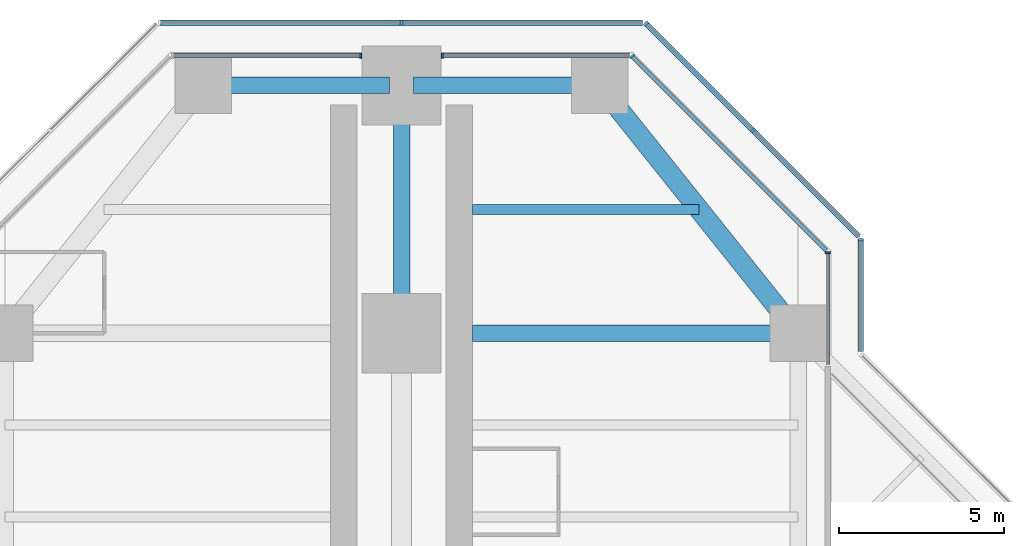
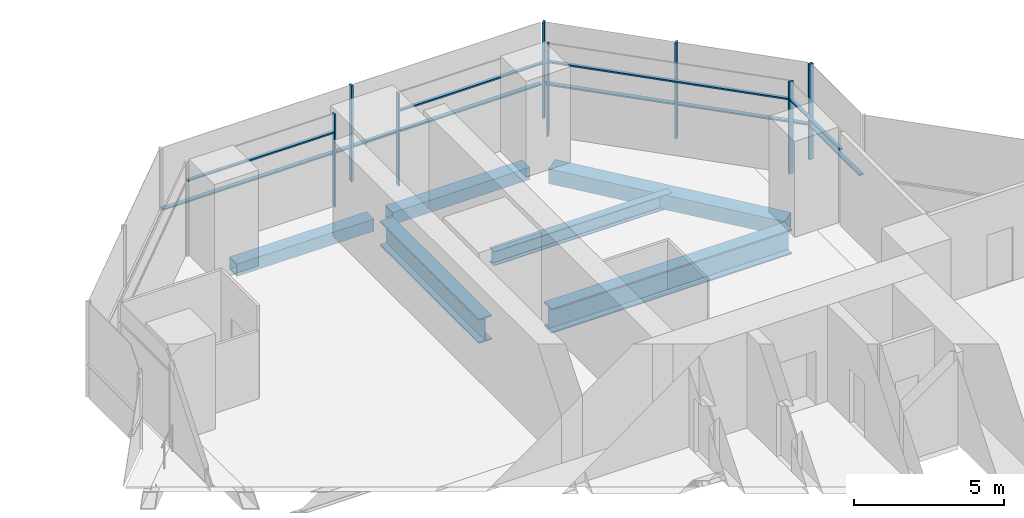
# One storey, part 10 of 20: 17 members, 6 beams, 7 elements without a shape of their own.
"""IFC4 building model written with IfcOpenShell, lengths in metres."""

from ifc_helpers import new_model, si_unit, direction, frame, origin, origin_2d, place, context, subcontext, project, spatial, rectangle, hollow_rectangle, i_section, extrude, material, material_profile, profile_set, type_object, element, aggregate, save


model = new_model("IFC4")

# Units and contexts
model_context = context("Model", 3, precision=1e-05, world=origin(), true_north=direction((0.0, 1.0)))
body_context = subcontext(model_context, "Body", "Model", "MODEL_VIEW")
ifc_project = project(units=[si_unit("LENGTHUNIT", "METRE"), si_unit("AREAUNIT", "SQUARE_METRE"), si_unit("VOLUMEUNIT", "CUBIC_METRE"), si_unit("PLANEANGLEUNIT", "RADIAN"), si_unit("MASSUNIT", "GRAM", prefix="KILO")], contexts=[model_context])

# Site, building, storey
site_placement = place(None, origin())
site = spatial("IfcSite", under=ifc_project, at=site_placement, CompositionType="ELEMENT")
building_placement = place(site_placement, origin())
building = spatial("IfcBuilding", under=site, at=building_placement, Name="Mizan Broadcast Tower", CompositionType="ELEMENT")
storey_placement = place(building_placement, frame((0.0, 0.0, 155.39990234375)))
storey = spatial("IfcBuildingStorey", under=building, at=storey_placement, Name="L35", CompositionType="ELEMENT", Elevation=155.39990234375)

# Beams
ifc_material_1 = material(Name="Steel S355", Category="steel")
ifc_material_profile_1 = material_profile(ifc_material_1, hollow_rectangle(XDim=0.5, YDim=0.5, WallThickness=0.030029296875, at=origin_2d()), Name="BOX 500x500x30")
ifc_profile_set_1 = profile_set([ifc_material_profile_1], Name="Steel S355")
beam_type_1 = type_object("IfcBeamType", Name="EDGE BEAM BOX 500x500x30", PredefinedType="SPANDREL", material=ifc_profile_set_1)
for number, where, z_axis, x_axis, name in (
    (1, (5.639892578125, 27.0, -0.3798828125), (-1.0, 0.0, 0.0), (0.0, -1.0, 0.0), "Edge beam BOX 500x500x30 L35 north arm"),
    (2, (-5.639892578125, 27.0, -0.3798828125), (1.0, 0.0, 0.0), (0.0, 1.0, 0.0), "Edge beam BOX 500x500x30 L35 north arm"),
):
    element("IfcBeam", number, at=place(storey_placement, frame(where, z_axis=z_axis, x_axis=x_axis)), inside=storey, type_object=beam_type_1, Name=name, PredefinedType="SPANDREL", context=body_context, shape_type="SweptSolid", body=[
        extrude(hollow_rectangle(XDim=0.5, YDim=0.5, WallThickness=0.030029296875, at=origin_2d()), origin(), (0.0, 0.0, 1.0), 5.27978515625),
    ])
ifc_material_2 = material(Name="Steel S355", Category="steel")
ifc_material_profile_2 = material_profile(ifc_material_2, hollow_rectangle(XDim=0.60009765625, YDim=0.60009765625, WallThickness=0.030029296875, at=origin_2d()), Name="BOX 600x600x30")
ifc_profile_set_2 = profile_set([ifc_material_profile_2], Name="Steel S355")
beam_type_2 = type_object("IfcBeamType", Name="EDGE BEAM BOX 600x600x30", PredefinedType="SPANDREL", material=ifc_profile_set_2)
beam_1_placement = place(storey_placement, frame((11.639892578125, 19.949951171875, -0.429931640625), z_axis=(-0.624673911726, 0.780885717636, 0.0), x_axis=(-0.780885717636, -0.624673911726, 0.0)))
element("IfcBeam", 3, at=beam_1_placement, inside=storey, type_object=beam_type_2, Name="Edge beam BOX 600x600x30 L35 north arm", PredefinedType="SPANDREL", context=body_context, shape_type="SweptSolid", body=[
    extrude(hollow_rectangle(XDim=0.60009765625, YDim=0.60009765625, WallThickness=0.030029296875, at=origin_2d()), origin(), (0.0, 0.0, 1.0), 8.4521484375),
])
ifc_material_3 = material(Name="Steel S460", Category="steel")
ifc_material_profile_3 = material_profile(ifc_material_3, i_section(OverallWidth=0.5, OverallDepth=1.0, WebThickness=0.02490234375, FlangeThickness=0.050048828125, at=origin_2d()), Name="WPG 1000x500")
ifc_profile_set_3 = profile_set([ifc_material_profile_3], Name="Steel S460")
beam_type_3 = type_object("IfcBeamType", Name="GIRDER WPG 1000x500", PredefinedType="BEAM", material=ifc_profile_set_3)
beam_2_placement = place(storey_placement, frame((0.0, 19.949951171875, -0.6298828125), z_axis=(0.0, 1.0, 0.0), x_axis=(-1.0, 0.0, 0.0)))
element("IfcBeam", 4, at=beam_2_placement, inside=storey, type_object=beam_type_3, Name="Girder WPG 1000x500 L35 north arm", PredefinedType="BEAM", context=body_context, shape_type="SweptSolid", body=[
    extrude(i_section(OverallWidth=0.5, OverallDepth=1.0, WebThickness=0.02490234375, FlangeThickness=0.050048828125, at=origin_2d()), origin(), (0.0, 0.0, 1.0), 6.60009765625),
])
beam_3_placement = place(storey_placement, frame((11.408935546875, 19.5, -0.6298828125), z_axis=(-1.0, 0.0, 0.0), x_axis=(0.0, -1.0, 0.0)))
element("IfcBeam", 5, at=beam_3_placement, inside=storey, type_object=beam_type_3, Name="Girder WPG 1000x500 L35 north arm", PredefinedType="BEAM", context=body_context, shape_type="SweptSolid", body=[
    extrude(i_section(OverallWidth=0.5, OverallDepth=1.0, WebThickness=0.02490234375, FlangeThickness=0.050048828125, at=origin_2d()), origin(), (0.0, 0.0, 1.0), 9.259033203125),
])

# Curtain wall, member
ifc_material_4 = material(Name="Aluminium framed glazing", Category="aluminium")
curtain_wall_type_1 = type_object("IfcCurtainWallType", Name="INNER SKIN MID ZONE", PredefinedType="USERDEFINED", material=ifc_material_4)
curtain_wall_1_placement = place(storey_placement, origin())
curtain_wall_1 = element("IfcCurtainWall", 6, at=curtain_wall_1_placement, inside=storey, type_object=curtain_wall_type_1, Name="Inner skin mid zone L35 N side", ObjectType="INNER SKIN MID ZONE", PredefinedType="USERDEFINED")
ifc_material_5 = material(Name="Aluminium, pale anodised", Category="aluminium")
ifc_material_profile_4 = material_profile(ifc_material_5, rectangle(XDim=0.159912109375, YDim=0.06005859375, at=origin_2d()), Name="MULLION 160x60")
ifc_profile_set_4 = profile_set([ifc_material_profile_4], Name="Aluminium, pale anodised")
member_type_1 = type_object("IfcMemberType", Name="INNER SKIN MULLION 60x160", PredefinedType="MULLION", material=ifc_profile_set_4)
member_1_placement = place(storey_placement, frame((12.89990234375, 21.928466796875, 0.0), z_axis=(0.0, 0.0, 1.0), x_axis=(-1.0, 0.0, 0.0)))
member_1 = element("IfcMember", 7, at=member_1_placement, type_object=member_type_1, Name="Inner skin mid zone L35 N side mullion 2", PredefinedType="MULLION", context=body_context, shape_type="SweptSolid", body=[
    extrude(rectangle(XDim=0.159912109375, YDim=0.06005859375, at=origin_2d()), origin(), (0.0, 0.0, 1.0), 3.77001953125),
])

curtain_wall_2_placement = place(storey_placement, origin())
curtain_wall_2 = element("IfcCurtainWall", 8, at=curtain_wall_2_placement, inside=storey, type_object=curtain_wall_type_1, Name="Inner skin mid zone L35 N chamfer", ObjectType="INNER SKIN MID ZONE", PredefinedType="USERDEFINED")
member_2_placement = place(storey_placement, frame((6.979736328125, 27.87890625, 0.0), z_axis=(0.0, 0.0, 1.0), x_axis=(-0.707106781187, -0.707106781187, 0.0)))
member_2 = element("IfcMember", 9, at=member_2_placement, type_object=member_type_1, Name="Inner skin mid zone L35 N chamfer mullion 2", PredefinedType="MULLION", context=body_context, shape_type="SweptSolid", body=[
    extrude(rectangle(XDim=0.159912109375, YDim=0.06005859375, at=origin_2d()), origin(), (0.0, 0.0, 1.0), 3.77001953125),
])

curtain_wall_3_placement = place(storey_placement, origin())
curtain_wall_3 = element("IfcCurtainWall", 10, at=curtain_wall_3_placement, inside=storey, type_object=curtain_wall_type_1, Name="Inner skin mid zone L35 N end", ObjectType="INNER SKIN MID ZONE", PredefinedType="USERDEFINED")
member_3_placement = place(storey_placement, frame((1.22998046875, 27.89990234375, 0.0), z_axis=(0.0, 0.0, 1.0), x_axis=(0.0, -1.0, 0.0)))
member_3 = element("IfcMember", 11, at=member_3_placement, type_object=member_type_1, Name="Inner skin mid zone L35 N end mullion 2", PredefinedType="MULLION", context=body_context, shape_type="SweptSolid", body=[
    extrude(rectangle(XDim=0.159912109375, YDim=0.06005859375, at=origin_2d()), origin(), (0.0, 0.0, 1.0), 3.77001953125),
])

curtain_wall_4_placement = place(storey_placement, origin())
curtain_wall_4 = element("IfcCurtainWall", 12, at=curtain_wall_4_placement, inside=storey, type_object=curtain_wall_type_1, Name="Inner skin mid zone L35 N end", ObjectType="INNER SKIN MID ZONE", PredefinedType="USERDEFINED")
member_4_placement = place(storey_placement, frame((-1.22998046875, 27.89990234375, 0.0), z_axis=(0.0, 0.0, 1.0), x_axis=(0.0, -1.0, 0.0)))
member_4 = element("IfcMember", 13, at=member_4_placement, type_object=member_type_1, Name="Inner skin mid zone L35 N end mullion 1", PredefinedType="MULLION", context=body_context, shape_type="SweptSolid", body=[
    extrude(rectangle(XDim=0.159912109375, YDim=0.06005859375, at=origin_2d()), origin(), (0.0, 0.0, 1.0), 3.77001953125),
])

# Member
ifc_material_6 = material(Name="Aluminium, pale anodised", Category="aluminium")
ifc_material_profile_5 = material_profile(ifc_material_6, rectangle(XDim=0.1201171875, YDim=0.06005859375, at=origin_2d()), Name="TRANSOM 120x60")
ifc_profile_set_5 = profile_set([ifc_material_profile_5], Name="Aluminium, pale anodised")
member_type_2 = type_object("IfcMemberType", Name="INNER SKIN TRANSOM 60x120", PredefinedType="USERDEFINED", material=ifc_profile_set_5)
member_5_placement = place(storey_placement, frame((12.89990234375, 18.56005859375, 3.030029296875), z_axis=(0.0, 1.0, 0.0), x_axis=(-1.0, 0.0, 0.0)))
member_5 = element("IfcMember", 14, at=member_5_placement, type_object=member_type_2, Name="Inner skin mid zone L35 N side transom 1.1", ObjectType="TRANSOM", PredefinedType="USERDEFINED", context=body_context, shape_type="SweptSolid", body=[
    extrude(rectangle(XDim=0.1201171875, YDim=0.06005859375, at=origin_2d()), origin(), (0.0, 0.0, 1.0), 3.338623046875),
])

aggregate(curtain_wall_1, [member_1, member_5])

member_6_placement = place(storey_placement, frame((12.857666015625, 22.0009765625, 3.030029296875), z_axis=(-0.707106781187, 0.707106781187, 0.0), x_axis=(-0.707106781187, -0.707106781187, 0.0)))
member_6 = element("IfcMember", 15, at=member_6_placement, type_object=member_type_2, Name="Inner skin mid zone L35 N chamfer transom 1.1", ObjectType="TRANSOM", PredefinedType="USERDEFINED", context=body_context, shape_type="SweptSolid", body=[
    extrude(rectangle(XDim=0.1201171875, YDim=0.06005859375, at=origin_2d()), origin(), (0.0, 0.0, 1.0), 8.28271484375),
])

aggregate(curtain_wall_2, [member_2, member_6])

member_7_placement = place(storey_placement, frame((6.898681640625, 27.89990234375, 3.030029296875), z_axis=(-1.0, 0.0, 0.0), x_axis=(0.0, -1.0, 0.0)))
member_7 = element("IfcMember", 16, at=member_7_placement, type_object=member_type_2, Name="Inner skin mid zone L35 N end transom 1.1", ObjectType="TRANSOM", PredefinedType="USERDEFINED", context=body_context, shape_type="SweptSolid", body=[
    extrude(rectangle(XDim=0.1201171875, YDim=0.06005859375, at=origin_2d()), origin(), (0.0, 0.0, 1.0), 5.638671875),
])

aggregate(curtain_wall_3, [member_3, member_7])

member_8_placement = place(storey_placement, frame((-1.260009765625, 27.89990234375, 3.030029296875), z_axis=(-1.0, 0.0, 0.0), x_axis=(0.0, -1.0, 0.0)))
member_8 = element("IfcMember", 17, at=member_8_placement, type_object=member_type_2, Name="Inner skin mid zone L35 N end transom 1.1", ObjectType="TRANSOM", PredefinedType="USERDEFINED", context=body_context, shape_type="SweptSolid", body=[
    extrude(rectangle(XDim=0.1201171875, YDim=0.06005859375, at=origin_2d()), origin(), (0.0, 0.0, 1.0), 5.638671875),
])

aggregate(curtain_wall_4, [member_4, member_8])

# Curtain wall, member
ifc_material_7 = material(Name="Aluminium framed glazing", Category="aluminium")
curtain_wall_type_2 = type_object("IfcCurtainWallType", Name="OUTER SKIN", PredefinedType="USERDEFINED", material=ifc_material_7)
curtain_wall_5_placement = place(storey_placement, origin())
curtain_wall_5 = element("IfcCurtainWall", 18, at=curtain_wall_5_placement, inside=storey, type_object=curtain_wall_type_2, Name="Outer skin L35 N side", ObjectType="OUTER SKIN", PredefinedType="USERDEFINED")
ifc_material_8 = material(Name="Aluminium, pale anodised", Category="aluminium")
ifc_material_profile_6 = material_profile(ifc_material_8, rectangle(XDim=0.159912109375, YDim=0.080078125, at=origin_2d()), Name="MULLION 160x80")
ifc_profile_set_6 = profile_set([ifc_material_profile_6], Name="Aluminium, pale anodised")
member_type_3 = type_object("IfcMemberType", Name="OUTER SKIN MULLION 80x160", PredefinedType="MULLION", material=ifc_profile_set_6)
member_9_placement = place(storey_placement, frame((13.89990234375, 22.332763671875, 0.0), z_axis=(0.0, 0.0, 1.0), x_axis=(-1.0, 0.0, 0.0)))
member_9 = element("IfcMember", 19, at=member_9_placement, type_object=member_type_3, Name="Outer skin L35 N side mullion 2", PredefinedType="MULLION", context=body_context, shape_type="SweptSolid", body=[
    extrude(rectangle(XDim=0.159912109375, YDim=0.080078125, at=origin_2d()), origin(), (0.0, 0.0, 1.0), 3.900146484375),
])

# Curtain wall, members
curtain_wall_6_placement = place(storey_placement, origin())
curtain_wall_6 = element("IfcCurtainWall", 20, at=curtain_wall_6_placement, inside=storey, type_object=curtain_wall_type_2, Name="Outer skin L35 N chamfer", ObjectType="OUTER SKIN", PredefinedType="USERDEFINED")
member_10_placement = place(storey_placement, frame((10.636474609375, 25.636474609375, 0.0), z_axis=(0.0, 0.0, 1.0), x_axis=(-0.707106781187, -0.707106781187, 0.0)))
member_10 = element("IfcMember", 21, at=member_10_placement, type_object=member_type_3, Name="Outer skin L35 N chamfer mullion 2", PredefinedType="MULLION", context=body_context, shape_type="SweptSolid", body=[
    extrude(rectangle(XDim=0.159912109375, YDim=0.080078125, at=origin_2d()), origin(), (0.0, 0.0, 1.0), 3.900146484375),
])
member_11_placement = place(storey_placement, frame((7.401123046875, 28.871826171875, 0.0), z_axis=(0.0, 0.0, 1.0), x_axis=(-0.707106781187, -0.707106781187, 0.0)))
member_11 = element("IfcMember", 22, at=member_11_placement, type_object=member_type_3, Name="Outer skin L35 N chamfer mullion 3", PredefinedType="MULLION", context=body_context, shape_type="SweptSolid", body=[
    extrude(rectangle(XDim=0.159912109375, YDim=0.080078125, at=origin_2d()), origin(), (0.0, 0.0, 1.0), 3.900146484375),
])

# Curtain wall, member
curtain_wall_7_placement = place(storey_placement, origin())
curtain_wall_7 = element("IfcCurtainWall", 23, at=curtain_wall_7_placement, inside=storey, type_object=curtain_wall_type_2, Name="Outer skin L35 N end", ObjectType="OUTER SKIN", PredefinedType="USERDEFINED")
member_12_placement = place(storey_placement, frame((0.0, 28.89990234375, 0.0), z_axis=(0.0, 0.0, 1.0), x_axis=(0.0, -1.0, 0.0)))
member_12 = element("IfcMember", 24, at=member_12_placement, type_object=member_type_3, Name="Outer skin L35 N end mullion 2", PredefinedType="MULLION", context=body_context, shape_type="SweptSolid", body=[
    extrude(rectangle(XDim=0.159912109375, YDim=0.080078125, at=origin_2d()), origin(), (0.0, 0.0, 1.0), 3.900146484375),
])

# Member
ifc_material_9 = material(Name="Aluminium, pale anodised", Category="aluminium")
ifc_material_profile_7 = material_profile(ifc_material_9, rectangle(XDim=0.159912109375, YDim=0.06005859375, at=origin_2d()), Name="TRANSOM 160x60")
ifc_profile_set_7 = profile_set([ifc_material_profile_7], Name="Aluminium, pale anodised")
member_type_4 = type_object("IfcMemberType", Name="OUTER SKIN TRANSOM 60x160", PredefinedType="USERDEFINED", material=ifc_profile_set_7)
member_13_placement = place(storey_placement, frame((13.89990234375, 18.952880859375, 1.400146484375), z_axis=(0.0, 1.0, 0.0), x_axis=(-1.0, 0.0, 0.0)))
member_13 = element("IfcMember", 25, at=member_13_placement, type_object=member_type_4, Name="Outer skin L35 N side transom 1.1", ObjectType="TRANSOM", PredefinedType="USERDEFINED", context=body_context, shape_type="SweptSolid", body=[
    extrude(rectangle(XDim=0.159912109375, YDim=0.06005859375, at=origin_2d()), origin(), (0.0, 0.0, 1.0), 3.33984375),
])

aggregate(curtain_wall_5, [member_9, member_13])

member_14_placement = place(storey_placement, frame((13.843505859375, 22.429443359375, 1.400146484375), z_axis=(-0.707106781187, 0.707106781187, 0.0), x_axis=(-0.707106781187, -0.707106781187, 0.0)))
member_14 = element("IfcMember", 26, at=member_14_placement, type_object=member_type_4, Name="Outer skin L35 N chamfer transom 1.1", ObjectType="TRANSOM", PredefinedType="USERDEFINED", context=body_context, shape_type="SweptSolid", body=[
    extrude(rectangle(XDim=0.159912109375, YDim=0.06005859375, at=origin_2d()), origin(), (0.0, 0.0, 1.0), 4.495361328125),
])

member_15_placement = place(storey_placement, frame((10.608154296875, 25.664794921875, 1.400146484375), z_axis=(-0.707106781187, 0.707106781187, 0.0), x_axis=(-0.707106781187, -0.707106781187, 0.0)))
member_15 = element("IfcMember", 27, at=member_15_placement, type_object=member_type_4, Name="Outer skin L35 N chamfer transom 2.1", ObjectType="TRANSOM", PredefinedType="USERDEFINED", context=body_context, shape_type="SweptSolid", body=[
    extrude(rectangle(XDim=0.159912109375, YDim=0.06005859375, at=origin_2d()), origin(), (0.0, 0.0, 1.0), 4.495361328125),
])

aggregate(curtain_wall_6, [member_10, member_11, member_14, member_15])

member_16_placement = place(storey_placement, frame((7.292724609375, 28.89990234375, 1.400146484375), z_axis=(-1.0, 0.0, 0.0), x_axis=(0.0, -1.0, 0.0)))
member_16 = element("IfcMember", 28, at=member_16_placement, type_object=member_type_4, Name="Outer skin L35 N end transom 1.1", ObjectType="TRANSOM", PredefinedType="USERDEFINED", context=body_context, shape_type="SweptSolid", body=[
    extrude(rectangle(XDim=0.159912109375, YDim=0.06005859375, at=origin_2d()), origin(), (0.0, 0.0, 1.0), 7.252685546875),
])

member_17_placement = place(storey_placement, frame((-0.0400390625, 28.89990234375, 1.400146484375), z_axis=(-1.0, 0.0, 0.0), x_axis=(0.0, -1.0, 0.0)))
member_17 = element("IfcMember", 29, at=member_17_placement, type_object=member_type_4, Name="Outer skin L35 N end transom 2.1", ObjectType="TRANSOM", PredefinedType="USERDEFINED", context=body_context, shape_type="SweptSolid", body=[
    extrude(rectangle(XDim=0.159912109375, YDim=0.06005859375, at=origin_2d()), origin(), (0.0, 0.0, 1.0), 7.252685546875),
])

aggregate(curtain_wall_7, [member_12, member_16, member_17])

# Beam
ifc_material_10 = material(Name="Steel S355", Category="steel")
ifc_material_profile_8 = material_profile(ifc_material_10, i_section(OverallWidth=0.300048828125, OverallDepth=0.590087890625, WebThickness=0.012939453125, FlangeThickness=0.02490234375, FilletRadius=0.027099609375, at=origin_2d()), Name="HEA 600")
ifc_profile_set_8 = profile_set([ifc_material_profile_8], Name="Steel S355")
beam_type_4 = type_object("IfcBeamType", Name="SECONDARY BEAM HEA 600", PredefinedType="JOIST", material=ifc_profile_set_8)
beam_4_placement = place(storey_placement, frame((9.0, 23.25, -0.4248046875), z_axis=(-1.0, 0.0, 0.0), x_axis=(0.0, -1.0, 0.0)))
element("IfcBeam", 30, at=beam_4_placement, inside=storey, type_object=beam_type_4, Name="Secondary beam HEA 600 L35 north arm", PredefinedType="JOIST", context=body_context, shape_type="SweptSolid", body=[
    extrude(i_section(OverallWidth=0.300048828125, OverallDepth=0.590087890625, WebThickness=0.012939453125, FlangeThickness=0.02490234375, FilletRadius=0.027099609375, at=origin_2d()), origin(), (0.0, 0.0, 1.0), 6.85009765625),
])

save(model, "model.ifc")
